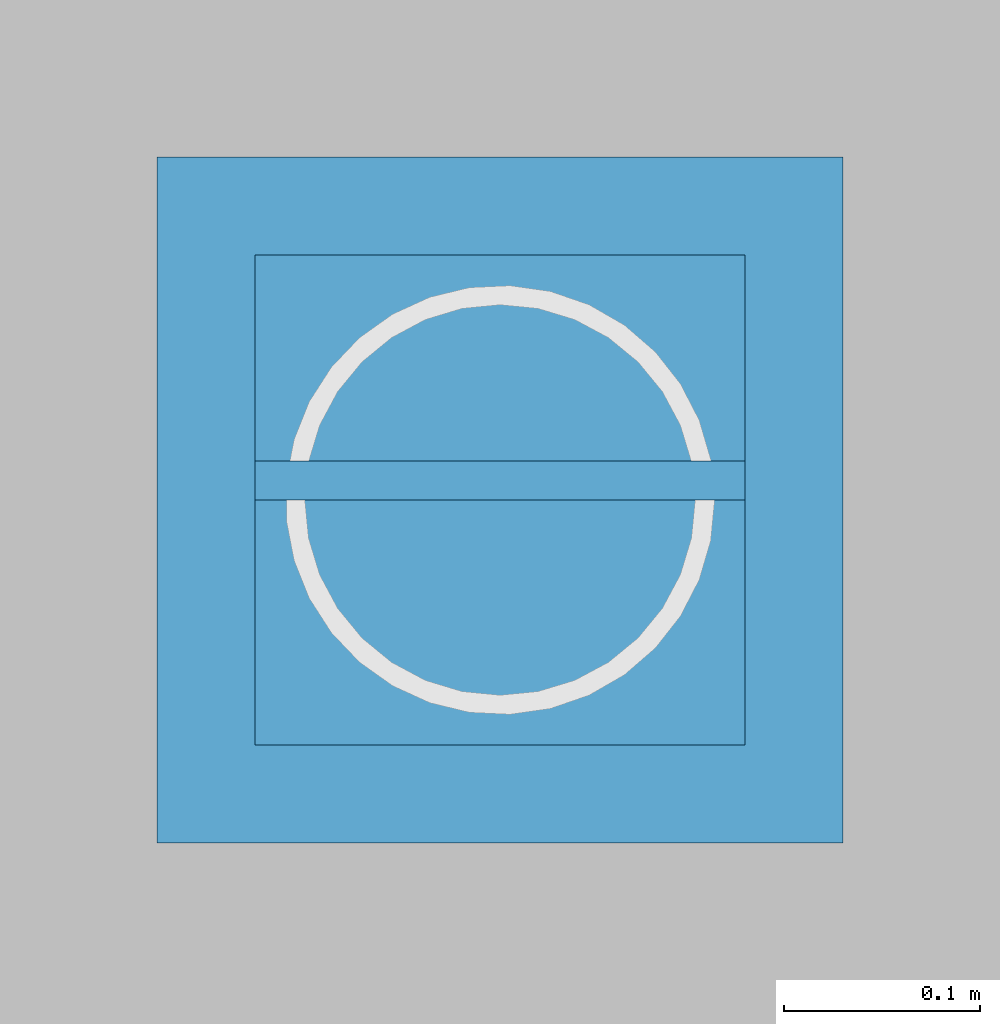
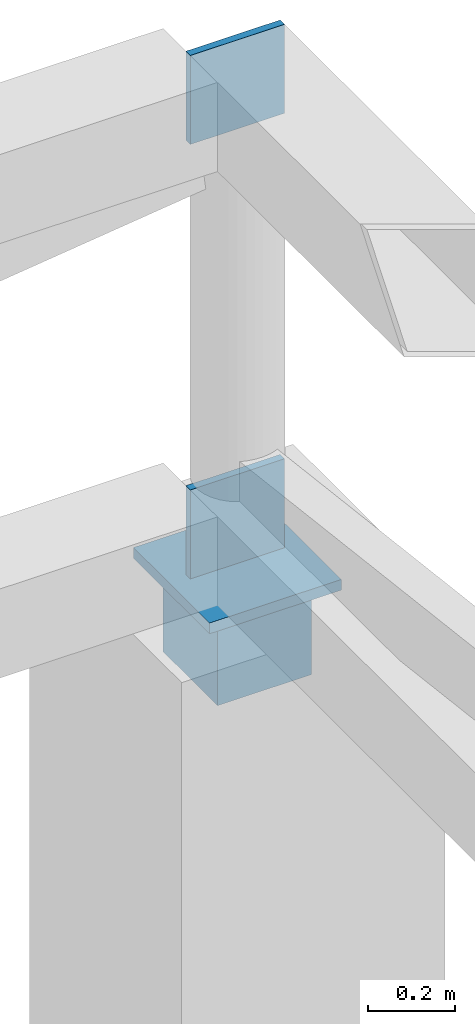
# One storey, part 21 of 23: 4 discrete accessories.
"""IFC4 building model written with IfcOpenShell, lengths in metres."""

from ifc_helpers import new_model, si_unit, direction, frame, origin, origin_2d, place, context, subcontext, project, spatial, rectangle, extrude, material, layer, layer_set, type_object, element, save


model = new_model("IFC4")

# Units and contexts
model_context = context("Model", 3, precision=1e-05, world=origin(), true_north=direction((0.0, 1.0)))
body_context = subcontext(model_context, "Body", "Model", "MODEL_VIEW")
ifc_project = project(units=[si_unit("LENGTHUNIT", "METRE"), si_unit("AREAUNIT", "SQUARE_METRE"), si_unit("VOLUMEUNIT", "CUBIC_METRE"), si_unit("PLANEANGLEUNIT", "RADIAN"), si_unit("MASSUNIT", "GRAM", prefix="KILO")], contexts=[model_context])

# Site, building, storey
site_placement = place(None, origin())
site = spatial("IfcSite", under=ifc_project, at=site_placement, CompositionType="ELEMENT")
building_placement = place(site_placement, origin())
building = spatial("IfcBuilding", under=site, at=building_placement, Name="Crosswind Convention Tower", CompositionType="ELEMENT")
storey_placement = place(building_placement, frame((0.0, 0.0, 349.10009765625)))
storey = spatial("IfcBuildingStorey", under=building, at=storey_placement, Name="L76", CompositionType="ELEMENT", Elevation=349.10009765625)

# Discrete accessories
ifc_material = material(Name="Steel S355", Category="steel")
ifc_layer_1 = layer(ifc_material, 0.030029296875)
ifc_layer_set_1 = layer_set([ifc_layer_1], Name="Steel S355")
discrete_accessory_type_1 = type_object("IfcDiscreteAccessoryType", Name="Cast-in plate 350 x 350 x 30", PredefinedType="ANCHORPLATE", material=ifc_layer_set_1)
discrete_accessory_1_placement = place(storey_placement, frame((137.0, 128.0, 10.19970703125), z_axis=(0.0, 0.0, 1.0), x_axis=(1.0, 0.0, 0.0)))
element("IfcDiscreteAccessory", 1, at=discrete_accessory_1_placement, inside=storey, type_object=discrete_accessory_type_1, Name="EP5 L76 cast-in plate on column head", PredefinedType="ANCHORPLATE", context=body_context, shape_type="SweptSolid", body=[
    extrude(rectangle(XDim=0.35009765625, YDim=0.35009765625, at=origin_2d()), origin(), (0.0, 0.0, 1.0), 0.030029296875),
])
ifc_layer_2 = layer(ifc_material, 0.02001953125)
ifc_layer_set_2 = layer_set([ifc_layer_2], Name="Steel S355")
discrete_accessory_type_2 = type_object("IfcDiscreteAccessoryType", Name="End cap plate 250 x 250 x 20", PredefinedType="USERDEFINED", material=ifc_layer_set_2)
for number, where, z_axis, x_axis, name in (
    (2, (137.0, 128.010009765625, 10.22998046875), (0.0, 0.0, 1.0), (1.0, 0.0, 0.0), "EC1 L76 roof truss 11 chord end cap plate"),
    (3, (137.0, 128.010009765625, 11.449951171875), (0.0, 0.0, 1.0), (1.0, 0.0, 0.0), "EC1 L76 roof truss 11 chord end cap plate"),
):
    element("IfcDiscreteAccessory", number, at=place(storey_placement, frame(where, z_axis=z_axis, x_axis=x_axis)), inside=storey, type_object=discrete_accessory_type_2, Name=name, ObjectType="END CAP PLATE", PredefinedType="USERDEFINED", context=body_context, shape_type="SweptSolid", body=[
        extrude(rectangle(XDim=0.25, YDim=0.02001953125, at=origin_2d()), origin(), (0.0, 0.0, 1.0), 0.25),
    ])
discrete_accessory_type_3 = type_object("IfcDiscreteAccessoryType", Name="Headed stud group 250 x 250 x 250", PredefinedType="USERDEFINED", material=ifc_material)
discrete_accessory_2_placement = place(storey_placement, frame((137.0, 128.0, 9.949951171875), z_axis=(0.0, 0.0, 1.0), x_axis=(1.0, 0.0, 0.0)))
element("IfcDiscreteAccessory", 4, at=discrete_accessory_2_placement, inside=storey, type_object=discrete_accessory_type_3, Name="AB5 L76 headed stud group in column head", ObjectType="HEADED STUD GROUP", PredefinedType="USERDEFINED", context=body_context, shape_type="SweptSolid", body=[
    extrude(rectangle(XDim=0.25, YDim=0.25, at=origin_2d()), origin(), (0.0, 0.0, 1.0), 0.25),
])

save(model, "model.ifc")
